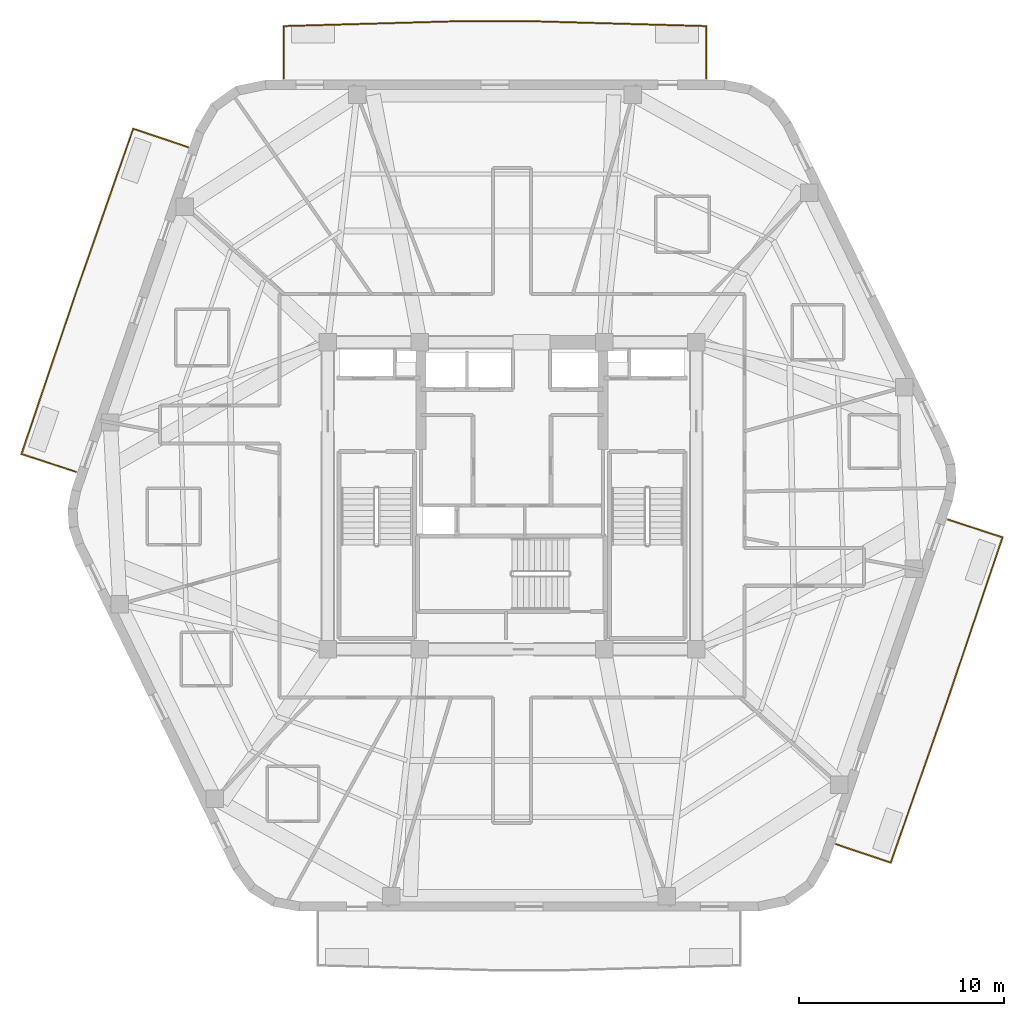
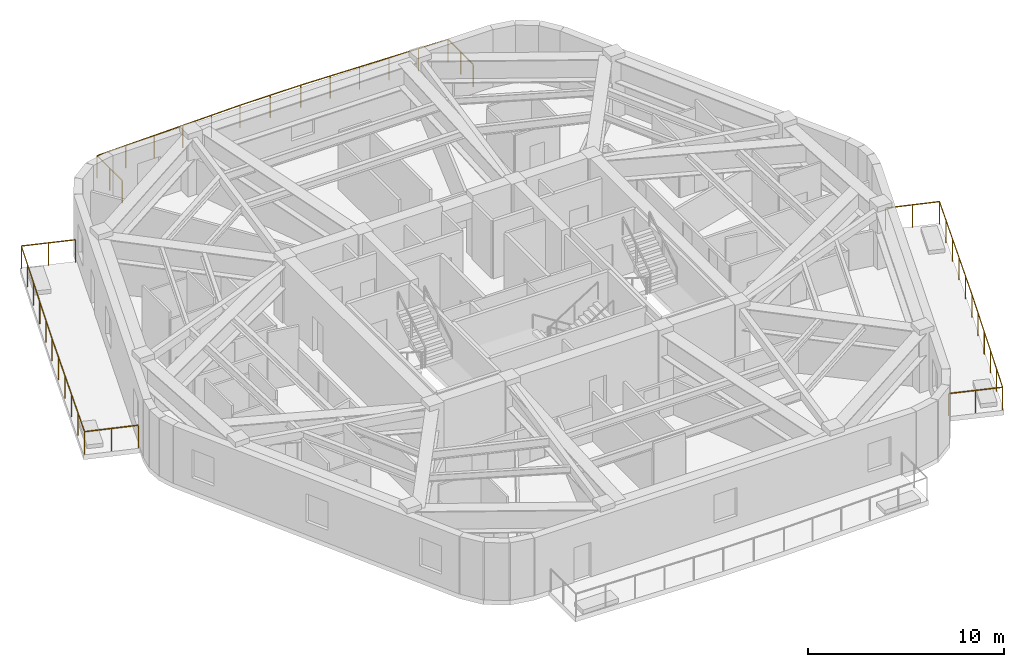
# One storey, part 9 of 9: 3 railings.
"""IFC4 building model written with IfcOpenShell, lengths in metres."""

from ifc_helpers import new_model, si_unit, direction, frame, origin, origin_2d, place, context, subcontext, project, spatial, rectangle, extrude, material, layer, layer_set, type_object, element, save


model = new_model("IFC4")

# Units and contexts
model_context = context("Model", 3, precision=1e-05, world=origin(), true_north=direction((0.0, 1.0)))
body_context = subcontext(model_context, "Body", "Model", "MODEL_VIEW")
ifc_project = project(units=[si_unit("LENGTHUNIT", "METRE"), si_unit("AREAUNIT", "SQUARE_METRE"), si_unit("VOLUMEUNIT", "CUBIC_METRE"), si_unit("PLANEANGLEUNIT", "RADIAN"), si_unit("MASSUNIT", "GRAM", prefix="KILO")], contexts=[model_context])

# Site, building, storey
site_placement = place(None, origin())
site = spatial("IfcSite", under=ifc_project, at=site_placement, CompositionType="ELEMENT")
building_placement = place(site_placement, origin())
building = spatial("IfcBuilding", under=site, at=building_placement, Name="Kilnhurst Terrace Hotel", CompositionType="ELEMENT")
storey_placement = place(building_placement, frame((0.0, 0.0, 301.5)))
storey = spatial("IfcBuildingStorey", under=building, at=storey_placement, Name="L75", CompositionType="ELEMENT", Elevation=301.5)

# Railings
ifc_material = material(Name="Laminated SentryGlas and Stainless Steel AISI 316L Balustrade", Category="steel")
ifc_layer = layer(ifc_material, 0.070068359375, Name="Laminated SentryGlas and Stainless Steel AISI 316L Balustrade")
ifc_layer_set = layer_set([ifc_layer], Name="Laminated SentryGlas and Stainless Steel AISI 316L Balustrade")
railing_type = type_object("IfcRailingType", Name="RLG-BAL-1420", PredefinedType="BALUSTRADE", material=ifc_layer_set)
railing_1_placement = place(storey_placement, frame((21.298828125, -1.166748046875, 0.0)))
element("IfcRailing", 1, at=railing_1_placement, inside=storey, type_object=railing_type, Name="L75 Exterior Terrace Guardrail BAL-L1B.1", PredefinedType="BALUSTRADE", context=body_context, shape_type="SweptSolid", body=[
    extrude(rectangle(XDim=0.048095703125, YDim=0.048095703125, at=origin_2d()), frame((0.0, 0.0, 1.39599609375), z_axis=(0.950394786916, -0.311046216827, 0.0), x_axis=(0.311046216827, 0.950394786916, 0.0)), (0.0, 0.0, 1.0), 2.80126953125),
    extrude(rectangle(XDim=0.048095703125, YDim=0.048095703125, at=origin_2d()), frame((2.662353515625, -0.871337890625, 1.39599609375), z_axis=(-0.319895813217, -0.94745272636, 0.0), x_axis=(0.94745272636, -0.319895813217, 0.0)), (0.0, 0.0, 1.0), 8.44091796875),
    extrude(rectangle(XDim=0.048095703125, YDim=0.048095703125, at=origin_2d()), frame((-0.037841796875, -8.86865234375, 1.39599609375), z_axis=(-0.329893619994, -0.944018113962, 0.0), x_axis=(0.944018113962, -0.329893619994, 0.0)), (0.0, 0.0, 1.0), 8.356689453125),
    extrude(rectangle(XDim=0.048095703125, YDim=0.048095703125, at=origin_2d()), frame((-2.794677734375, -16.757568359375, 1.39599609375), z_axis=(-0.948082201611, 0.318025374757, 0.0), x_axis=(-0.318025374757, -0.948082201611, 0.0)), (0.0, 0.0, 1.0), 2.810546875),
    extrude(rectangle(XDim=0.0419921875, YDim=0.0419921875, at=origin_2d()), origin(), (0.0, 0.0, 1.0), 1.371826171875),
    extrude(rectangle(XDim=0.0419921875, YDim=0.0419921875, at=origin_2d()), frame((1.3310546875, -0.435546875, 0.0)), (0.0, 0.0, 1.0), 1.371826171875),
    extrude(rectangle(XDim=0.0419921875, YDim=0.0419921875, at=origin_2d()), frame((2.662353515625, -0.871337890625, 0.0)), (0.0, 0.0, 1.0), 1.371826171875),
    extrude(rectangle(XDim=0.0419921875, YDim=0.0419921875, at=origin_2d()), frame((2.122314453125, -2.470703125, 0.0)), (0.0, 0.0, 1.0), 1.371826171875),
    extrude(rectangle(XDim=0.0419921875, YDim=0.0419921875, at=origin_2d()), frame((1.582275390625, -4.0703125, 0.0)), (0.0, 0.0, 1.0), 1.371826171875),
    extrude(rectangle(XDim=0.0419921875, YDim=0.0419921875, at=origin_2d()), frame((1.042236328125, -5.669677734375, 0.0)), (0.0, 0.0, 1.0), 1.371826171875),
    extrude(rectangle(XDim=0.0419921875, YDim=0.0419921875, at=origin_2d()), frame((0.502197265625, -7.269287109375, 0.0)), (0.0, 0.0, 1.0), 1.371826171875),
    extrude(rectangle(XDim=0.0419921875, YDim=0.0419921875, at=origin_2d()), frame((-0.037841796875, -8.86865234375, 0.0)), (0.0, 0.0, 1.0), 1.371826171875),
    extrude(rectangle(XDim=0.0419921875, YDim=0.0419921875, at=origin_2d()), frame((-0.589111328125, -10.446533203125, 0.0)), (0.0, 0.0, 1.0), 1.371826171875),
    extrude(rectangle(XDim=0.0419921875, YDim=0.0419921875, at=origin_2d()), frame((-1.140625, -12.024169921875, 0.0)), (0.0, 0.0, 1.0), 1.371826171875),
    extrude(rectangle(XDim=0.0419921875, YDim=0.0419921875, at=origin_2d()), frame((-1.69189453125, -13.60205078125, 0.0)), (0.0, 0.0, 1.0), 1.371826171875),
    extrude(rectangle(XDim=0.0419921875, YDim=0.0419921875, at=origin_2d()), frame((-2.243408203125, -15.1796875, 0.0)), (0.0, 0.0, 1.0), 1.371826171875),
    extrude(rectangle(XDim=0.0419921875, YDim=0.0419921875, at=origin_2d()), frame((-2.794677734375, -16.757568359375, 0.0)), (0.0, 0.0, 1.0), 1.371826171875),
    extrude(rectangle(XDim=0.0419921875, YDim=0.0419921875, at=origin_2d()), frame((-4.126953125, -16.310546875, 0.0)), (0.0, 0.0, 1.0), 1.371826171875),
    extrude(rectangle(XDim=0.0419921875, YDim=0.0419921875, at=origin_2d()), frame((-5.459228515625, -15.86376953125, 0.0)), (0.0, 0.0, 1.0), 1.371826171875),
])
railing_2_placement = place(storey_placement, frame((-11.151611328125, 20.3798828125, 0.0)))
element("IfcRailing", 2, at=railing_2_placement, inside=storey, type_object=railing_type, Name="L75 Exterior Terrace Guardrail BAL-L2A.1", PredefinedType="BALUSTRADE", context=body_context, shape_type="SweptSolid", body=[
    extrude(rectangle(XDim=0.048095703125, YDim=0.048095703125, at=origin_2d()), frame((0.0, 0.0, 1.39599609375), z_axis=(0.0, 1.0, 0.0), x_axis=(-1.0, 0.0, 0.0)), (0.0, 0.0, 1.0), 2.561767578125),
    extrude(rectangle(XDim=0.048095703125, YDim=0.048095703125, at=origin_2d()), frame((0.0, 2.561767578125, 1.39599609375), z_axis=(0.999610218954, 0.027917918323, 0.0), x_axis=(-0.027917918323, 0.999610218954, 0.0)), (0.0, 0.0, 1.0), 8.53515625),
    extrude(rectangle(XDim=0.048095703125, YDim=0.048095703125, at=origin_2d()), frame((8.53173828125, 2.800048828125, 1.39599609375), z_axis=(1.0, 0.0, 0.0), x_axis=(0.0, 1.0, 0.0)), (0.0, 0.0, 1.0), 3.577880859375),
    extrude(rectangle(XDim=0.048095703125, YDim=0.048095703125, at=origin_2d()), frame((12.109619140625, 2.800048828125, 1.39599609375), z_axis=(0.999610218954, -0.027917918323, 0.0), x_axis=(0.027917918323, 0.999610218954, 0.0)), (0.0, 0.0, 1.0), 8.53515625),
    extrude(rectangle(XDim=0.048095703125, YDim=0.048095703125, at=origin_2d()), frame((20.641357421875, 2.561767578125, 1.39599609375), z_axis=(0.0, -1.0, 0.0), x_axis=(1.0, 0.0, 0.0)), (0.0, 0.0, 1.0), 2.561767578125),
    extrude(rectangle(XDim=0.0419921875, YDim=0.0419921875, at=origin_2d()), origin(), (0.0, 0.0, 1.0), 1.371826171875),
    extrude(rectangle(XDim=0.0419921875, YDim=0.0419921875, at=origin_2d()), frame((0.0, 1.28076171875, 0.0)), (0.0, 0.0, 1.0), 1.371826171875),
    extrude(rectangle(XDim=0.0419921875, YDim=0.0419921875, at=origin_2d()), frame((0.0, 2.561767578125, 0.0)), (0.0, 0.0, 1.0), 1.371826171875),
    extrude(rectangle(XDim=0.0419921875, YDim=0.0419921875, at=origin_2d()), frame((1.706298828125, 2.609375, 0.0)), (0.0, 0.0, 1.0), 1.371826171875),
    extrude(rectangle(XDim=0.0419921875, YDim=0.0419921875, at=origin_2d()), frame((3.41259765625, 2.656982421875, 0.0)), (0.0, 0.0, 1.0), 1.371826171875),
    extrude(rectangle(XDim=0.0419921875, YDim=0.0419921875, at=origin_2d()), frame((5.119140625, 2.704833984375, 0.0)), (0.0, 0.0, 1.0), 1.371826171875),
    extrude(rectangle(XDim=0.0419921875, YDim=0.0419921875, at=origin_2d()), frame((6.825439453125, 2.75244140625, 0.0)), (0.0, 0.0, 1.0), 1.371826171875),
    extrude(rectangle(XDim=0.0419921875, YDim=0.0419921875, at=origin_2d()), frame((8.53173828125, 2.800048828125, 0.0)), (0.0, 0.0, 1.0), 1.371826171875),
    extrude(rectangle(XDim=0.0419921875, YDim=0.0419921875, at=origin_2d()), frame((10.32080078125, 2.800048828125, 0.0)), (0.0, 0.0, 1.0), 1.371826171875),
    extrude(rectangle(XDim=0.0419921875, YDim=0.0419921875, at=origin_2d()), frame((12.109619140625, 2.800048828125, 0.0)), (0.0, 0.0, 1.0), 1.371826171875),
    extrude(rectangle(XDim=0.0419921875, YDim=0.0419921875, at=origin_2d()), frame((13.81591796875, 2.75244140625, 0.0)), (0.0, 0.0, 1.0), 1.371826171875),
    extrude(rectangle(XDim=0.0419921875, YDim=0.0419921875, at=origin_2d()), frame((15.522216796875, 2.704833984375, 0.0)), (0.0, 0.0, 1.0), 1.371826171875),
    extrude(rectangle(XDim=0.0419921875, YDim=0.0419921875, at=origin_2d()), frame((17.228759765625, 2.656982421875, 0.0)), (0.0, 0.0, 1.0), 1.371826171875),
    extrude(rectangle(XDim=0.0419921875, YDim=0.0419921875, at=origin_2d()), frame((18.93505859375, 2.609375, 0.0)), (0.0, 0.0, 1.0), 1.371826171875),
    extrude(rectangle(XDim=0.0419921875, YDim=0.0419921875, at=origin_2d()), frame((20.641357421875, 2.561767578125, 0.0)), (0.0, 0.0, 1.0), 1.371826171875),
    extrude(rectangle(XDim=0.0419921875, YDim=0.0419921875, at=origin_2d()), frame((20.641357421875, 1.28076171875, 0.0)), (0.0, 0.0, 1.0), 1.371826171875),
    extrude(rectangle(XDim=0.0419921875, YDim=0.0419921875, at=origin_2d()), frame((20.641357421875, 0.0, 0.0)), (0.0, 0.0, 1.0), 1.371826171875),
])
railing_3_placement = place(storey_placement, frame((-21.298828125, 1.166748046875, 0.0)))
element("IfcRailing", 3, at=railing_3_placement, inside=storey, type_object=railing_type, Name="L75 Exterior Terrace Guardrail BAL-L2B.1", PredefinedType="BALUSTRADE", context=body_context, shape_type="SweptSolid", body=[
    extrude(rectangle(XDim=0.048095703125, YDim=0.048095703125, at=origin_2d()), frame((0.0, 0.0, 1.39599609375), z_axis=(-0.950394786916, 0.311046216827, 0.0), x_axis=(-0.311046216827, -0.950394786916, 0.0)), (0.0, 0.0, 1.0), 2.80126953125),
    extrude(rectangle(XDim=0.048095703125, YDim=0.048095703125, at=origin_2d()), frame((-2.662353515625, 0.871337890625, 1.39599609375), z_axis=(0.319895813217, 0.94745272636, 0.0), x_axis=(-0.94745272636, 0.319895813217, 0.0)), (0.0, 0.0, 1.0), 8.44091796875),
    extrude(rectangle(XDim=0.048095703125, YDim=0.048095703125, at=origin_2d()), frame((0.037841796875, 8.86865234375, 1.39599609375), z_axis=(0.329893619994, 0.944018113962, 0.0), x_axis=(-0.944018113962, 0.329893619994, 0.0)), (0.0, 0.0, 1.0), 8.356689453125),
    extrude(rectangle(XDim=0.048095703125, YDim=0.048095703125, at=origin_2d()), frame((2.794677734375, 16.757568359375, 1.39599609375), z_axis=(0.948082201611, -0.318025374757, 0.0), x_axis=(0.318025374757, 0.948082201611, 0.0)), (0.0, 0.0, 1.0), 2.810546875),
    extrude(rectangle(XDim=0.0419921875, YDim=0.0419921875, at=origin_2d()), origin(), (0.0, 0.0, 1.0), 1.371826171875),
    extrude(rectangle(XDim=0.0419921875, YDim=0.0419921875, at=origin_2d()), frame((-1.3310546875, 0.435546875, 0.0)), (0.0, 0.0, 1.0), 1.371826171875),
    extrude(rectangle(XDim=0.0419921875, YDim=0.0419921875, at=origin_2d()), frame((-2.662353515625, 0.871337890625, 0.0)), (0.0, 0.0, 1.0), 1.371826171875),
    extrude(rectangle(XDim=0.0419921875, YDim=0.0419921875, at=origin_2d()), frame((-2.122314453125, 2.470703125, 0.0)), (0.0, 0.0, 1.0), 1.371826171875),
    extrude(rectangle(XDim=0.0419921875, YDim=0.0419921875, at=origin_2d()), frame((-1.582275390625, 4.0703125, 0.0)), (0.0, 0.0, 1.0), 1.371826171875),
    extrude(rectangle(XDim=0.0419921875, YDim=0.0419921875, at=origin_2d()), frame((-1.042236328125, 5.669677734375, 0.0)), (0.0, 0.0, 1.0), 1.371826171875),
    extrude(rectangle(XDim=0.0419921875, YDim=0.0419921875, at=origin_2d()), frame((-0.502197265625, 7.269287109375, 0.0)), (0.0, 0.0, 1.0), 1.371826171875),
    extrude(rectangle(XDim=0.0419921875, YDim=0.0419921875, at=origin_2d()), frame((0.037841796875, 8.86865234375, 0.0)), (0.0, 0.0, 1.0), 1.371826171875),
    extrude(rectangle(XDim=0.0419921875, YDim=0.0419921875, at=origin_2d()), frame((0.589111328125, 10.446533203125, 0.0)), (0.0, 0.0, 1.0), 1.371826171875),
    extrude(rectangle(XDim=0.0419921875, YDim=0.0419921875, at=origin_2d()), frame((1.140625, 12.024169921875, 0.0)), (0.0, 0.0, 1.0), 1.371826171875),
    extrude(rectangle(XDim=0.0419921875, YDim=0.0419921875, at=origin_2d()), frame((1.69189453125, 13.60205078125, 0.0)), (0.0, 0.0, 1.0), 1.371826171875),
    extrude(rectangle(XDim=0.0419921875, YDim=0.0419921875, at=origin_2d()), frame((2.243408203125, 15.1796875, 0.0)), (0.0, 0.0, 1.0), 1.371826171875),
    extrude(rectangle(XDim=0.0419921875, YDim=0.0419921875, at=origin_2d()), frame((2.794677734375, 16.757568359375, 0.0)), (0.0, 0.0, 1.0), 1.371826171875),
    extrude(rectangle(XDim=0.0419921875, YDim=0.0419921875, at=origin_2d()), frame((4.126953125, 16.310546875, 0.0)), (0.0, 0.0, 1.0), 1.371826171875),
    extrude(rectangle(XDim=0.0419921875, YDim=0.0419921875, at=origin_2d()), frame((5.459228515625, 15.86376953125, 0.0)), (0.0, 0.0, 1.0), 1.371826171875),
])

save(model, "model.ifc")
